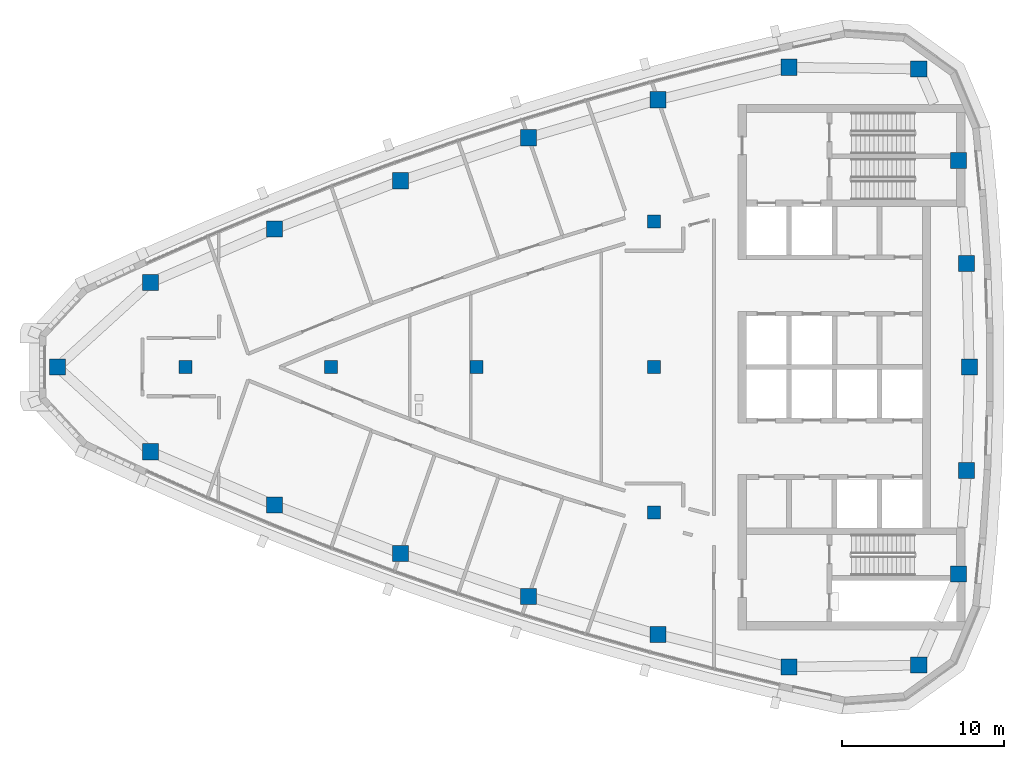
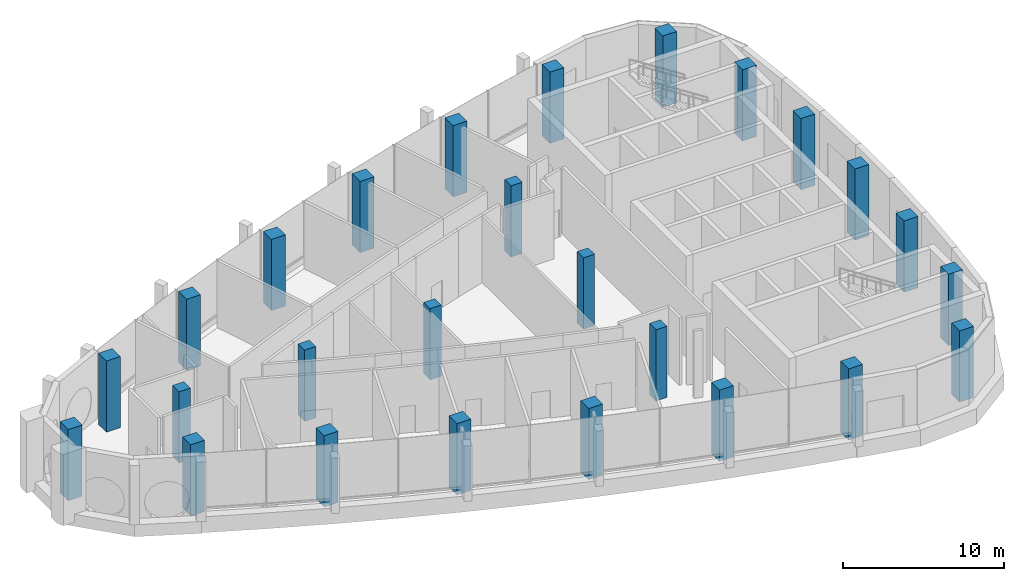
# One storey, part 1 of 15: 26 columns.
"""IFC4 building model written with IfcOpenShell, lengths in metres."""

import ifcopenshell
import ifcopenshell.guid

model = None  # the IFC model being written
_history = None  # IfcOwnerHistory: only IFC2X3 demands one
_inside = {}  # id of a spatial element -> (the spatial element, [elements in it])
_under = {}  # id of a project, library or spatial element -> (it, [spatial elements below it])
_declared = {}  # id of a project -> (the project, [libraries it declares])
_typed = {}  # id of a type object -> (the type object, [elements of that type])
_made_of = {}  # id of a material, layer set ... -> (it, [elements and type objects made of it])


def new_model(schema):
    """Start an empty IFC model of exactly this schema.

    Asked for "IFC4X3", IfcOpenShell would pick the latest addendum, in which some entities
    have other attributes; the version numbers below select the first issue.
    IFC2X3 requires an IfcOwnerHistory on every rooted entity: one is made here for all.
    """
    global model, _history
    if schema == "IFC4X3":
        model = ifcopenshell.file(schema_version=(4, 3, 0, 0))
    else:
        model = ifcopenshell.file(schema=schema)
    _inside.clear()
    _under.clear()
    _declared.clear()
    _typed.clear()
    _made_of.clear()
    _history = None
    if model.schema == "IFC2X3":
        org = make("IfcOrganization", Name="unknown")
        user = make(
            "IfcPersonAndOrganization",
            ThePerson=make("IfcPerson", FamilyName="unknown"),
            TheOrganization=org,
        )
        app = make(
            "IfcApplication",
            ApplicationDeveloper=org,
            Version="unknown",
            ApplicationFullName="unknown",
            ApplicationIdentifier="unknown",
        )
        _history = make(
            "IfcOwnerHistory",
            OwningUser=user,
            OwningApplication=app,
            ChangeAction="ADDED",
            CreationDate=0,
        )
    return model


def make(cls, **values):
    """One entity of the class cls with the attributes given. An attribute that is None is left unset."""
    return model.create_entity(
        cls, **{name: value for name, value in values.items() if value is not None}
    )


def rooted(cls, **values):
    """An entity with a GlobalId (a new one), such as an element, a storey or a relation."""
    return make(cls, GlobalId=ifcopenshell.guid.new(), OwnerHistory=_history, **values)


def si_unit(unit_type, name, prefix=None):
    """IfcSIUnit, for example si_unit("LENGTHUNIT", "METRE", prefix="MILLI")."""
    return make("IfcSIUnit", UnitType=unit_type, Prefix=prefix, Name=name)


def assignment(units):
    """IfcUnitAssignment: the units of a project."""
    return None if units is None else make("IfcUnitAssignment", Units=units)


def point(xyz):
    """IfcCartesianPoint."""
    return None if xyz is None else make("IfcCartesianPoint", Coordinates=xyz)


def direction(xyz):
    """IfcDirection."""
    return None if xyz is None else make("IfcDirection", DirectionRatios=xyz)


def frame(location, z_axis=None, x_axis=None):
    """IfcAxis2Placement3D, a coordinate frame: its origin and axes. An axis left out is left unset."""
    return make(
        "IfcAxis2Placement3D",
        Location=point(location),
        Axis=direction(z_axis),
        RefDirection=direction(x_axis),
    )


def frame_2d(location, x_axis=None):
    """IfcAxis2Placement2D, a coordinate frame in the plane: its origin and x axis."""
    return make(
        "IfcAxis2Placement2D", Location=point(location), RefDirection=direction(x_axis)
    )


def origin():
    """The frame at (0, 0, 0) with its axes left unset."""
    return frame((0.0, 0.0, 0.0))


def origin_2d():
    """The frame at (0, 0) in the plane with its x axis left unset."""
    return frame_2d((0.0, 0.0))


def place(relative_to, where):
    """IfcLocalPlacement: puts the frame where relative to a parent placement (None: the world)."""
    return make(
        "IfcLocalPlacement", PlacementRelTo=relative_to, RelativePlacement=where
    )


def context(
    kind, dimensions, precision=None, world=None, true_north=None, identifier=None
):
    """IfcGeometricRepresentationContext, for example the 3D "Model" context."""
    return make(
        "IfcGeometricRepresentationContext",
        ContextIdentifier=identifier,
        ContextType=kind,
        CoordinateSpaceDimension=dimensions,
        Precision=precision,
        WorldCoordinateSystem=world,
        TrueNorth=true_north,
    )


def subcontext(parent, identifier, kind, view, scale=None):
    """IfcGeometricRepresentationSubContext, for example "Body" below "Model"."""
    return make(
        "IfcGeometricRepresentationSubContext",
        ContextIdentifier=identifier,
        ContextType=kind,
        ParentContext=parent,
        TargetScale=scale,
        TargetView=view,
    )


def project(units=None, contexts=None):
    """IfcProject with its units and contexts."""
    return rooted(
        "IfcProject",
        Name="project",
        RepresentationContexts=contexts,
        UnitsInContext=assignment(units),
    )


def spatial(cls, under=None, at=None, **own):
    """A site, building, storey or space (cls), placed at a placement, below another one or the project."""
    s = rooted(cls, ObjectPlacement=at, **own)
    if under is not None:
        _under.setdefault(under.id(), (under, []))[1].append(s)
    return s


def profile(cls, at=None, kind="AREA", **sizes):
    """A parametric profile (cls). Its sizes go by their IFC names, for example OverallWidth=200.0."""
    return make(cls, ProfileType=kind, Position=at, **sizes)


def rectangle(**sizes):
    """IfcRectangleProfileDef."""
    return profile("IfcRectangleProfileDef", **sizes)


def extrude(swept, where, along, depth):
    """IfcExtrudedAreaSolid: the profile swept, set in the frame where, extruded along a direction by depth."""
    return make(
        "IfcExtrudedAreaSolid",
        SweptArea=swept,
        Position=where,
        ExtrudedDirection=direction(along),
        Depth=depth,
    )


def shape(context_of_items, identifier, shape_type, items):
    """IfcShapeRepresentation: the items that make up one representation, for example the "Body"."""
    return make(
        "IfcShapeRepresentation",
        ContextOfItems=context_of_items,
        RepresentationIdentifier=identifier,
        RepresentationType=shape_type,
        Items=items,
    )


def material(Name=None, Category=None):
    """IfcMaterial."""
    return make("IfcMaterial", Name=Name, Category=Category)


def material_profile(
    of_material, cross_section, Name=None, Category=None, Priority=None
):
    """IfcMaterialProfile: a cross section and its material."""
    return make(
        "IfcMaterialProfile",
        Name=Name,
        Material=of_material,
        Profile=cross_section,
        Priority=Priority,
        Category=Category,
    )


def profile_set(profiles, Name=None, composite=None):
    """IfcMaterialProfileSet."""
    return make(
        "IfcMaterialProfileSet",
        Name=Name,
        MaterialProfiles=profiles,
        CompositeProfile=composite,
    )


def made_of(thing, what):
    """Note that an element or type object is made of a material, layer set ...; save() writes the relation."""
    if what is not None:
        _made_of.setdefault(what.id(), (what, []))[1].append(thing)
    return thing


def type_object(cls, material=None, **own):
    """A type object (cls), such as IfcWallType, which elements share."""
    return made_of(rooted(cls, **own), material)


def element(
    cls,
    number,
    at=None,
    inside=None,
    cuts=None,
    type_object=None,
    material=None,
    context=None,
    identifier="Body",
    shape_type=None,
    held_by="IfcProductDefinitionShape",
    body=None,
    shapes=None,
    **own,
):
    """One element of the class cls, such as IfcWall. Its Tag is "e" and its number.

    at: its placement. inside: the storey or other place that contains it. cuts: it is an
    opening in that element (IfcRelVoidsElement). A single representation is given by context,
    identifier, shape_type and body (its items); several are given by shapes. held_by: the class
    of the entity that holds the representations. save() writes the other relations.
    """
    e = rooted(cls, Tag="e%d" % number, ObjectPlacement=at, **own)
    if body is not None:
        shapes = [shape(context, identifier, shape_type, body)]
    if shapes is not None:
        e.Representation = make(held_by, Representations=shapes)
    if inside is not None:
        _inside.setdefault(inside.id(), (inside, []))[1].append(e)
    if cuts is not None:
        rooted(
            "IfcRelVoidsElement", RelatingBuildingElement=cuts, RelatedOpeningElement=e
        )
    if type_object is not None:
        _typed.setdefault(type_object.id(), (type_object, []))[1].append(e)
    return made_of(e, material)


def aggregate(whole, parts):
    """IfcRelAggregates: a whole, such as a stair, and the parts it consists of."""
    return rooted("IfcRelAggregates", RelatingObject=whole, RelatedObjects=parts)


def save(model, path):
    """Write the relations noted so far, then the file.

    IfcRelAggregates (storeys below a building ...), IfcRelContainedInSpatialStructure (elements
    in a storey), IfcRelDefinesByType, IfcRelAssociatesMaterial and IfcRelDeclares: one each for
    every whole, place, type object, material and project.
    """
    for whole, parts in _under.values():
        aggregate(whole, parts)
    for where, things in _inside.values():
        rooted(
            "IfcRelContainedInSpatialStructure",
            RelatedElements=things,
            RelatingStructure=where,
        )
    for kind, things in _typed.values():
        rooted("IfcRelDefinesByType", RelatedObjects=things, RelatingType=kind)
    for what, things in _made_of.values():
        rooted("IfcRelAssociatesMaterial", RelatedObjects=things, RelatingMaterial=what)
    for by, libraries in _declared.values():
        rooted("IfcRelDeclares", RelatingContext=by, RelatedDefinitions=libraries)
    model.write(path)


model = new_model("IFC4")

# Units and contexts
model_context = context("Model", 3, precision=1e-05, world=origin(), true_north=direction((0.0, 1.0)))
body_context = subcontext(model_context, "Body", "Model", "MODEL_VIEW")
ifc_project = project(units=[si_unit("LENGTHUNIT", "METRE"), si_unit("AREAUNIT", "SQUARE_METRE"), si_unit("VOLUMEUNIT", "CUBIC_METRE"), si_unit("PLANEANGLEUNIT", "RADIAN"), si_unit("MASSUNIT", "GRAM", prefix="KILO")], contexts=[model_context])

# Site, building, storey
site_placement = place(None, origin())
site = spatial("IfcSite", under=ifc_project, at=site_placement, CompositionType="ELEMENT")
building_placement = place(site_placement, origin())
building = spatial("IfcBuilding", under=site, at=building_placement, Name="Ostrand Prow Hotel Tower", CompositionType="ELEMENT")
storey_placement = place(building_placement, frame((0.0, 0.0, 313.199951171875)))
storey = spatial("IfcBuildingStorey", under=building, at=storey_placement, Name="C2", CompositionType="ELEMENT", Elevation=313.199951171875)

# Columns
ifc_material_1 = material(Name="Concrete C40/50", Category="concrete")
ifc_material_profile_1 = material_profile(ifc_material_1, rectangle(XDim=0.800048828125, YDim=0.800048828125, at=origin_2d()), Name="RC 800x800")
ifc_profile_set_1 = profile_set([ifc_material_profile_1], Name="Concrete C40/50")
column_type_1 = type_object("IfcColumnType", Name="Interior column 800x800 C40/50", PredefinedType="COLUMN", material=ifc_profile_set_1)
for number, where, z_axis, x_axis, name in (
    (1, (16.0, 0.0, 0.0), (0.0, 0.0, 1.0), (1.0, 0.0, 0.0), "Interior column 16C0"),
    (2, (25.0, 0.0, 0.0), (0.0, 0.0, 1.0), (1.0, 0.0, 0.0), "Interior column 25C0"),
    (3, (34.0, 0.0, 0.0), (0.0, 0.0, 1.0), (1.0, 0.0, 0.0), "Interior column 34C0"),
    (4, (45.0, -9.0, 0.0), (0.0, 0.0, 1.0), (1.0, 0.0, 0.0), "Interior column 45S9"),
    (5, (45.0, 0.0, 0.0), (0.0, 0.0, 1.0), (1.0, 0.0, 0.0), "Interior column 45C0"),
    (6, (45.0, 9.0, 0.0), (0.0, 0.0, 1.0), (1.0, 0.0, 0.0), "Interior column 45N9"),
):
    element("IfcColumn", number, at=place(storey_placement, frame(where, z_axis=z_axis, x_axis=x_axis)), inside=storey, type_object=column_type_1, Name=name, PredefinedType="COLUMN", context=body_context, shape_type="SweptSolid", body=[
        extrude(rectangle(XDim=0.800048828125, YDim=0.800048828125, at=origin_2d()), origin(), (0.0, 0.0, 1.0), 5.400146484375),
    ])
ifc_material_2 = material(Name="Concrete C40/50", Category="concrete")
ifc_material_profile_2 = material_profile(ifc_material_2, rectangle(XDim=1.0, YDim=1.0, at=origin_2d()), Name="RC 1000x1000")
ifc_profile_set_2 = profile_set([ifc_material_profile_2], Name="Concrete C40/50")
column_type_2 = type_object("IfcColumnType", Name="Stone-faced mega column 1000x1000 C40/50", PredefinedType="COLUMN", material=ifc_profile_set_2)
for number, where, z_axis, x_axis, name in (
    (7, (8.082763671875, 0.0, 0.0), (0.0, 0.0, 1.0), (1.0, 0.0, 0.0), "Mega column P"),
    (8, (13.846435546875, -5.23681640625, 0.0), (0.0, 0.0, 1.0), (1.0, 0.0, 0.0), "Mega column S1"),
    (9, (21.51416015625, -8.5400390625, 0.0), (0.0, 0.0, 1.0), (1.0, 0.0, 0.0), "Mega column S2"),
    (10, (29.31005859375, -11.528076171875, 0.0), (0.0, 0.0, 1.0), (1.0, 0.0, 0.0), "Mega column S3"),
    (11, (37.22119140625, -14.19580078125, 0.0), (0.0, 0.0, 1.0), (1.0, 0.0, 0.0), "Mega column S4"),
    (12, (45.234619140625, -16.53857421875, 0.0), (0.0, 0.0, 1.0), (1.0, 0.0, 0.0), "Mega column S5"),
    (13, (53.3369140625, -18.552978515625, 0.0), (0.0, 0.0, 1.0), (1.0, 0.0, 0.0), "Mega column S6"),
    (14, (61.374267578125, -18.439697265625, 0.0), (0.0, 0.0, 1.0), (1.0, 0.0, 0.0), "Mega column SE"),
    (15, (63.831787109375, -12.7890625, 0.0), (0.0, 0.0, 1.0), (1.0, 0.0, 0.0), "Mega column B1"),
    (16, (64.332763671875, -6.4033203125, 0.0), (0.0, 0.0, 1.0), (1.0, 0.0, 0.0), "Mega column B2"),
    (17, (64.5, 0.0, 0.0), (0.0, 0.0, 1.0), (1.0, 0.0, 0.0), "Mega column B3"),
    (18, (64.332763671875, 6.4033203125, 0.0), (0.0, 0.0, 1.0), (1.0, 0.0, 0.0), "Mega column B4"),
    (19, (63.831787109375, 12.7890625, 0.0), (0.0, 0.0, 1.0), (1.0, 0.0, 0.0), "Mega column B5"),
    (20, (61.374267578125, 18.439697265625, 0.0), (0.0, 0.0, 1.0), (1.0, 0.0, 0.0), "Mega column NE"),
    (21, (53.3369140625, 18.552978515625, 0.0), (0.0, 0.0, 1.0), (1.0, 0.0, 0.0), "Mega column N1"),
    (22, (45.234619140625, 16.53857421875, 0.0), (0.0, 0.0, 1.0), (1.0, 0.0, 0.0), "Mega column N2"),
    (23, (37.22119140625, 14.19580078125, 0.0), (0.0, 0.0, 1.0), (1.0, 0.0, 0.0), "Mega column N3"),
    (24, (29.31005859375, 11.528076171875, 0.0), (0.0, 0.0, 1.0), (1.0, 0.0, 0.0), "Mega column N4"),
    (25, (21.51416015625, 8.5400390625, 0.0), (0.0, 0.0, 1.0), (1.0, 0.0, 0.0), "Mega column N5"),
    (26, (13.846435546875, 5.23681640625, 0.0), (0.0, 0.0, 1.0), (1.0, 0.0, 0.0), "Mega column N6"),
):
    element("IfcColumn", number, at=place(storey_placement, frame(where, z_axis=z_axis, x_axis=x_axis)), inside=storey, type_object=column_type_2, Name=name, PredefinedType="COLUMN", context=body_context, shape_type="SweptSolid", body=[
        extrude(rectangle(XDim=1.0, YDim=1.0, at=origin_2d()), origin(), (0.0, 0.0, 1.0), 5.400146484375),
    ])

save(model, "model.ifc")
